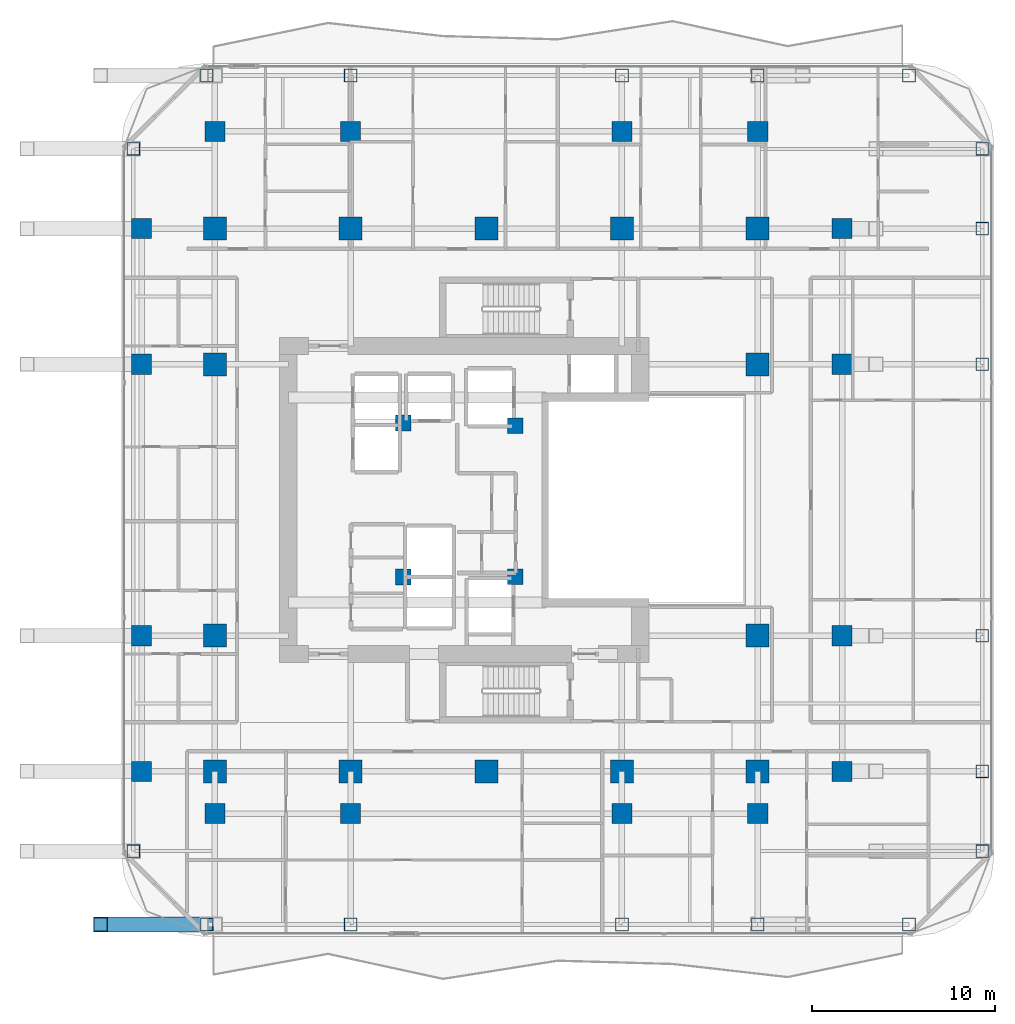
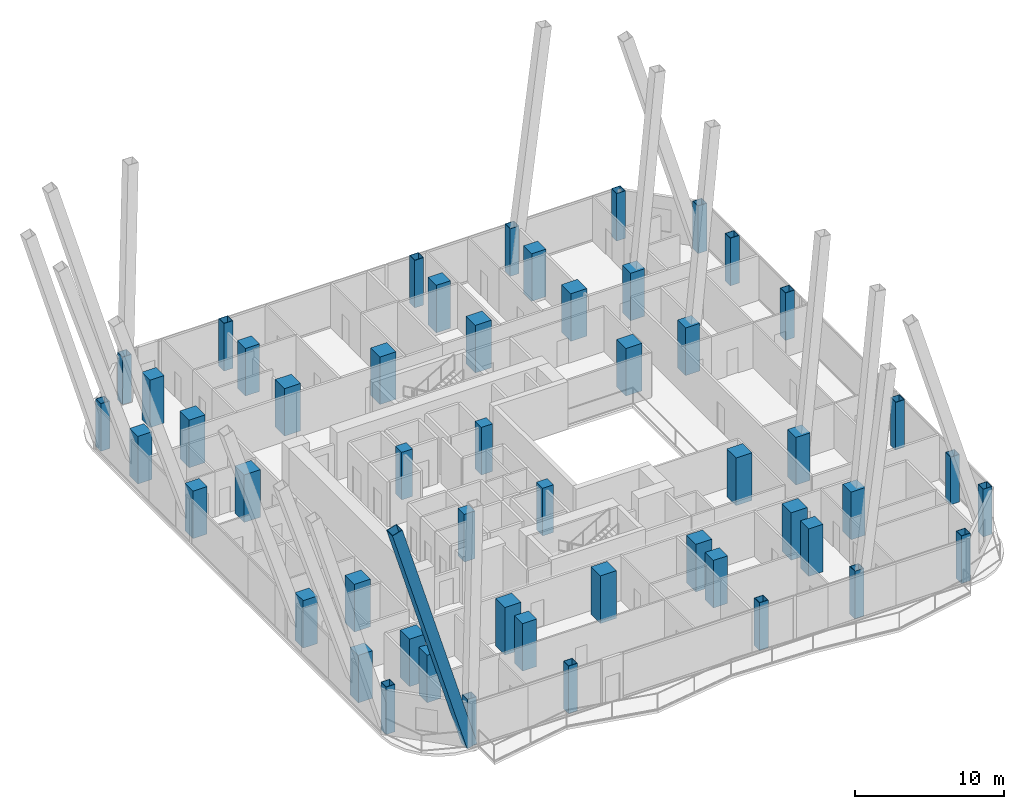
# One storey, part 1 of 32: 52 columns, 1 member.
"""IFC4 building model written with IfcOpenShell, lengths in metres."""

import ifcopenshell
import ifcopenshell.guid

model = None  # the IFC model being written
_history = None  # IfcOwnerHistory: only IFC2X3 demands one
_inside = {}  # id of a spatial element -> (the spatial element, [elements in it])
_under = {}  # id of a project, library or spatial element -> (it, [spatial elements below it])
_declared = {}  # id of a project -> (the project, [libraries it declares])
_typed = {}  # id of a type object -> (the type object, [elements of that type])
_made_of = {}  # id of a material, layer set ... -> (it, [elements and type objects made of it])


def new_model(schema):
    """Start an empty IFC model of exactly this schema.

    Asked for "IFC4X3", IfcOpenShell would pick the latest addendum, in which some entities
    have other attributes; the version numbers below select the first issue.
    IFC2X3 requires an IfcOwnerHistory on every rooted entity: one is made here for all.
    """
    global model, _history
    if schema == "IFC4X3":
        model = ifcopenshell.file(schema_version=(4, 3, 0, 0))
    else:
        model = ifcopenshell.file(schema=schema)
    _inside.clear()
    _under.clear()
    _declared.clear()
    _typed.clear()
    _made_of.clear()
    _history = None
    if model.schema == "IFC2X3":
        org = make("IfcOrganization", Name="unknown")
        user = make(
            "IfcPersonAndOrganization",
            ThePerson=make("IfcPerson", FamilyName="unknown"),
            TheOrganization=org,
        )
        app = make(
            "IfcApplication",
            ApplicationDeveloper=org,
            Version="unknown",
            ApplicationFullName="unknown",
            ApplicationIdentifier="unknown",
        )
        _history = make(
            "IfcOwnerHistory",
            OwningUser=user,
            OwningApplication=app,
            ChangeAction="ADDED",
            CreationDate=0,
        )
    return model


def make(cls, **values):
    """One entity of the class cls with the attributes given. An attribute that is None is left unset."""
    return model.create_entity(
        cls, **{name: value for name, value in values.items() if value is not None}
    )


def rooted(cls, **values):
    """An entity with a GlobalId (a new one), such as an element, a storey or a relation."""
    return make(cls, GlobalId=ifcopenshell.guid.new(), OwnerHistory=_history, **values)


def si_unit(unit_type, name, prefix=None):
    """IfcSIUnit, for example si_unit("LENGTHUNIT", "METRE", prefix="MILLI")."""
    return make("IfcSIUnit", UnitType=unit_type, Prefix=prefix, Name=name)


def assignment(units):
    """IfcUnitAssignment: the units of a project."""
    return None if units is None else make("IfcUnitAssignment", Units=units)


def point(xyz):
    """IfcCartesianPoint."""
    return None if xyz is None else make("IfcCartesianPoint", Coordinates=xyz)


def direction(xyz):
    """IfcDirection."""
    return None if xyz is None else make("IfcDirection", DirectionRatios=xyz)


def frame(location, z_axis=None, x_axis=None):
    """IfcAxis2Placement3D, a coordinate frame: its origin and axes. An axis left out is left unset."""
    return make(
        "IfcAxis2Placement3D",
        Location=point(location),
        Axis=direction(z_axis),
        RefDirection=direction(x_axis),
    )


def frame_2d(location, x_axis=None):
    """IfcAxis2Placement2D, a coordinate frame in the plane: its origin and x axis."""
    return make(
        "IfcAxis2Placement2D", Location=point(location), RefDirection=direction(x_axis)
    )


def origin():
    """The frame at (0, 0, 0) with its axes left unset."""
    return frame((0.0, 0.0, 0.0))


def origin_2d():
    """The frame at (0, 0) in the plane with its x axis left unset."""
    return frame_2d((0.0, 0.0))


def place(relative_to, where):
    """IfcLocalPlacement: puts the frame where relative to a parent placement (None: the world)."""
    return make(
        "IfcLocalPlacement", PlacementRelTo=relative_to, RelativePlacement=where
    )


def context(
    kind, dimensions, precision=None, world=None, true_north=None, identifier=None
):
    """IfcGeometricRepresentationContext, for example the 3D "Model" context."""
    return make(
        "IfcGeometricRepresentationContext",
        ContextIdentifier=identifier,
        ContextType=kind,
        CoordinateSpaceDimension=dimensions,
        Precision=precision,
        WorldCoordinateSystem=world,
        TrueNorth=true_north,
    )


def subcontext(parent, identifier, kind, view, scale=None):
    """IfcGeometricRepresentationSubContext, for example "Body" below "Model"."""
    return make(
        "IfcGeometricRepresentationSubContext",
        ContextIdentifier=identifier,
        ContextType=kind,
        ParentContext=parent,
        TargetScale=scale,
        TargetView=view,
    )


def project(units=None, contexts=None):
    """IfcProject with its units and contexts."""
    return rooted(
        "IfcProject",
        Name="project",
        RepresentationContexts=contexts,
        UnitsInContext=assignment(units),
    )


def spatial(cls, under=None, at=None, **own):
    """A site, building, storey or space (cls), placed at a placement, below another one or the project."""
    s = rooted(cls, ObjectPlacement=at, **own)
    if under is not None:
        _under.setdefault(under.id(), (under, []))[1].append(s)
    return s


def profile(cls, at=None, kind="AREA", **sizes):
    """A parametric profile (cls). Its sizes go by their IFC names, for example OverallWidth=200.0."""
    return make(cls, ProfileType=kind, Position=at, **sizes)


def rectangle(**sizes):
    """IfcRectangleProfileDef."""
    return profile("IfcRectangleProfileDef", **sizes)


def hollow_rectangle(**sizes):
    """IfcRectangleHollowProfileDef."""
    return profile("IfcRectangleHollowProfileDef", **sizes)


def extrude(swept, where, along, depth):
    """IfcExtrudedAreaSolid: the profile swept, set in the frame where, extruded along a direction by depth."""
    return make(
        "IfcExtrudedAreaSolid",
        SweptArea=swept,
        Position=where,
        ExtrudedDirection=direction(along),
        Depth=depth,
    )


def shape(context_of_items, identifier, shape_type, items):
    """IfcShapeRepresentation: the items that make up one representation, for example the "Body"."""
    return make(
        "IfcShapeRepresentation",
        ContextOfItems=context_of_items,
        RepresentationIdentifier=identifier,
        RepresentationType=shape_type,
        Items=items,
    )


def material(Name=None, Category=None):
    """IfcMaterial."""
    return make("IfcMaterial", Name=Name, Category=Category)


def material_profile(
    of_material, cross_section, Name=None, Category=None, Priority=None
):
    """IfcMaterialProfile: a cross section and its material."""
    return make(
        "IfcMaterialProfile",
        Name=Name,
        Material=of_material,
        Profile=cross_section,
        Priority=Priority,
        Category=Category,
    )


def profile_set(profiles, Name=None, composite=None):
    """IfcMaterialProfileSet."""
    return make(
        "IfcMaterialProfileSet",
        Name=Name,
        MaterialProfiles=profiles,
        CompositeProfile=composite,
    )


def made_of(thing, what):
    """Note that an element or type object is made of a material, layer set ...; save() writes the relation."""
    if what is not None:
        _made_of.setdefault(what.id(), (what, []))[1].append(thing)
    return thing


def type_object(cls, material=None, **own):
    """A type object (cls), such as IfcWallType, which elements share."""
    return made_of(rooted(cls, **own), material)


def element(
    cls,
    number,
    at=None,
    inside=None,
    cuts=None,
    type_object=None,
    material=None,
    context=None,
    identifier="Body",
    shape_type=None,
    held_by="IfcProductDefinitionShape",
    body=None,
    shapes=None,
    **own,
):
    """One element of the class cls, such as IfcWall. Its Tag is "e" and its number.

    at: its placement. inside: the storey or other place that contains it. cuts: it is an
    opening in that element (IfcRelVoidsElement). A single representation is given by context,
    identifier, shape_type and body (its items); several are given by shapes. held_by: the class
    of the entity that holds the representations. save() writes the other relations.
    """
    e = rooted(cls, Tag="e%d" % number, ObjectPlacement=at, **own)
    if body is not None:
        shapes = [shape(context, identifier, shape_type, body)]
    if shapes is not None:
        e.Representation = make(held_by, Representations=shapes)
    if inside is not None:
        _inside.setdefault(inside.id(), (inside, []))[1].append(e)
    if cuts is not None:
        rooted(
            "IfcRelVoidsElement", RelatingBuildingElement=cuts, RelatedOpeningElement=e
        )
    if type_object is not None:
        _typed.setdefault(type_object.id(), (type_object, []))[1].append(e)
    return made_of(e, material)


def aggregate(whole, parts):
    """IfcRelAggregates: a whole, such as a stair, and the parts it consists of."""
    return rooted("IfcRelAggregates", RelatingObject=whole, RelatedObjects=parts)


def save(model, path):
    """Write the relations noted so far, then the file.

    IfcRelAggregates (storeys below a building ...), IfcRelContainedInSpatialStructure (elements
    in a storey), IfcRelDefinesByType, IfcRelAssociatesMaterial and IfcRelDeclares: one each for
    every whole, place, type object, material and project.
    """
    for whole, parts in _under.values():
        aggregate(whole, parts)
    for where, things in _inside.values():
        rooted(
            "IfcRelContainedInSpatialStructure",
            RelatedElements=things,
            RelatingStructure=where,
        )
    for kind, things in _typed.values():
        rooted("IfcRelDefinesByType", RelatedObjects=things, RelatingType=kind)
    for what, things in _made_of.values():
        rooted("IfcRelAssociatesMaterial", RelatedObjects=things, RelatingMaterial=what)
    for by, libraries in _declared.values():
        rooted("IfcRelDeclares", RelatingContext=by, RelatedDefinitions=libraries)
    model.write(path)


model = new_model("IFC4")

# Units and contexts
model_context = context("Model", 3, precision=1e-05, world=origin(), true_north=direction((0.0, 1.0)))
body_context = subcontext(model_context, "Body", "Model", "MODEL_VIEW")
ifc_project = project(units=[si_unit("LENGTHUNIT", "METRE"), si_unit("AREAUNIT", "SQUARE_METRE"), si_unit("VOLUMEUNIT", "CUBIC_METRE"), si_unit("PLANEANGLEUNIT", "RADIAN"), si_unit("MASSUNIT", "GRAM", prefix="KILO")], contexts=[model_context])

# Site, building, storey
site_placement = place(None, origin())
site = spatial("IfcSite", under=ifc_project, at=site_placement, CompositionType="ELEMENT")
building_placement = place(site_placement, origin())
building = spatial("IfcBuilding", under=site, at=building_placement, Name="Khorvyn Point Tower", CompositionType="ELEMENT")
storey_placement = place(building_placement, frame((0.0, 0.0, 148.5)))
storey = spatial("IfcBuildingStorey", under=building, at=storey_placement, Name="L37", CompositionType="ELEMENT", Elevation=148.5)

# Columns
ifc_material_1 = material(Name="Concrete C40/50", Category="concrete")
ifc_material_profile_1 = material_profile(ifc_material_1, rectangle(XDim=0.85009765625, YDim=0.85009765625, at=origin_2d()))
ifc_profile_set_1 = profile_set([ifc_material_profile_1], Name="Concrete C40/50 RC850x850")
column_type_1 = type_object("IfcColumnType", Name="Concrete C40/50 Column RC850x850", PredefinedType="COLUMN", material=ifc_profile_set_1)
for number, where, z_axis, x_axis, name in (
    (1, (-4.52001953125, -4.199951171875, 0.0), (0.0, 0.0, 1.0), (1.0, 0.0, 0.0), "L37 Crown Core Spine Column 1"),
    (2, (1.580078125, -4.179931640625, 0.0), (0.0, 0.0, 1.0), (1.0, 0.0, 0.0), "L37 Crown Core Spine Column 2"),
    (3, (1.580078125, 4.050048828125, 0.0), (0.0, 0.0, 1.0), (1.0, 0.0, 0.0), "L37 Crown Core Spine Column 3"),
    (4, (-4.52001953125, 4.199951171875, 0.0), (0.0, 0.0, 1.0), (1.0, 0.0, 0.0), "L37 Crown Core Spine Column 4"),
):
    element("IfcColumn", number, at=place(storey_placement, frame(where, z_axis=z_axis, x_axis=x_axis)), inside=storey, type_object=column_type_1, Name=name, PredefinedType="COLUMN", context=body_context, shape_type="SweptSolid", body=[
        extrude(rectangle(XDim=0.85009765625, YDim=0.85009765625, at=origin_2d()), origin(), (0.0, 0.0, 1.0), 3.89990234375),
    ])
ifc_material_2 = material(Name="Concrete C45/55", Category="concrete")
ifc_material_profile_2 = material_profile(ifc_material_2, rectangle(XDim=1.10009765625, YDim=1.10009765625, at=origin_2d()))
ifc_profile_set_2 = profile_set([ifc_material_profile_2], Name="Concrete C45/55 RC1100x1100")
column_type_2 = type_object("IfcColumnType", Name="Concrete C45/55 Column RC1100x1100", PredefinedType="COLUMN", material=ifc_profile_set_2)
for number, where, z_axis, x_axis, name in (
    (5, (-18.800048828125, -14.800048828125, 0.0), (0.0, 0.0, 1.0), (1.0, 0.0, 0.0), "L37 Intermediate Column ICW--14"),
    (6, (-18.800048828125, -7.39990234375, 0.0), (0.0, 0.0, 1.0), (1.0, 0.0, 0.0), "L37 Intermediate Column ICW--7"),
    (7, (-18.800048828125, 7.39990234375, 0.0), (0.0, 0.0, 1.0), (1.0, 0.0, 0.0), "L37 Intermediate Column ICW-7"),
    (8, (-18.800048828125, 14.800048828125, 0.0), (0.0, 0.0, 1.0), (1.0, 0.0, 0.0), "L37 Intermediate Column ICW-14"),
    (9, (19.39990234375, -14.800048828125, 0.0), (0.0, 0.0, 1.0), (1.0, 0.0, 0.0), "L37 Intermediate Column ICE--14"),
    (10, (19.39990234375, -7.39990234375, 0.0), (0.0, 0.0, 1.0), (1.0, 0.0, 0.0), "L37 Intermediate Column ICE--7"),
    (11, (19.39990234375, 7.39990234375, 0.0), (0.0, 0.0, 1.0), (1.0, 0.0, 0.0), "L37 Intermediate Column ICE-7"),
    (12, (19.39990234375, 14.800048828125, 0.0), (0.0, 0.0, 1.0), (1.0, 0.0, 0.0), "L37 Intermediate Column ICE-14"),
    (13, (-14.800048828125, -17.10009765625, 0.0), (0.0, 0.0, 1.0), (1.0, 0.0, 0.0), "L37 Intermediate Column ICS--14"),
    (14, (-7.39990234375, -17.10009765625, 0.0), (0.0, 0.0, 1.0), (1.0, 0.0, 0.0), "L37 Intermediate Column ICS--7"),
    (15, (7.39990234375, -17.10009765625, 0.0), (0.0, 0.0, 1.0), (1.0, 0.0, 0.0), "L37 Intermediate Column ICS-7"),
    (16, (14.800048828125, -17.10009765625, 0.0), (0.0, 0.0, 1.0), (1.0, 0.0, 0.0), "L37 Intermediate Column ICS-14"),
    (17, (-14.800048828125, 20.10009765625, 0.0), (0.0, 0.0, 1.0), (1.0, 0.0, 0.0), "L37 Intermediate Column ICN--14"),
    (18, (-7.39990234375, 20.10009765625, 0.0), (0.0, 0.0, 1.0), (1.0, 0.0, 0.0), "L37 Intermediate Column ICN--7"),
    (19, (7.39990234375, 20.10009765625, 0.0), (0.0, 0.0, 1.0), (1.0, 0.0, 0.0), "L37 Intermediate Column ICN-7"),
    (20, (14.800048828125, 20.10009765625, 0.0), (0.0, 0.0, 1.0), (1.0, 0.0, 0.0), "L37 Intermediate Column ICN-14"),
):
    element("IfcColumn", number, at=place(storey_placement, frame(where, z_axis=z_axis, x_axis=x_axis)), inside=storey, type_object=column_type_2, Name=name, PredefinedType="COLUMN", context=body_context, shape_type="SweptSolid", body=[
        extrude(rectangle(XDim=1.10009765625, YDim=1.10009765625, at=origin_2d()), origin(), (0.0, 0.0, 1.0), 3.89990234375),
    ])
ifc_material_3 = material(Name="Concrete C50/60", Category="concrete")
ifc_material_profile_3 = material_profile(ifc_material_3, rectangle(XDim=1.25, YDim=1.25, at=origin_2d()))
ifc_profile_set_3 = profile_set([ifc_material_profile_3], Name="Concrete C50/60 RC1250x1250")
column_type_3 = type_object("IfcColumnType", Name="Concrete C50/60 Column RC1250x1250", PredefinedType="COLUMN", material=ifc_profile_set_3)
for number, where, z_axis, x_axis, name in (
    (21, (-14.800048828125, -14.800048828125, 0.0), (0.0, 0.0, 1.0), (1.0, 0.0, 0.0), "L37 Mega-Column MC-01"),
    (22, (-7.39990234375, -14.800048828125, 0.0), (0.0, 0.0, 1.0), (1.0, 0.0, 0.0), "L37 Mega-Column MC-02"),
    (23, (0.0, -14.800048828125, 0.0), (0.0, 0.0, 1.0), (1.0, 0.0, 0.0), "L37 Mega-Column MC-03"),
    (24, (7.39990234375, -14.800048828125, 0.0), (0.0, 0.0, 1.0), (1.0, 0.0, 0.0), "L37 Mega-Column MC-04"),
    (25, (14.800048828125, -14.800048828125, 0.0), (0.0, 0.0, 1.0), (1.0, 0.0, 0.0), "L37 Mega-Column MC-05"),
    (26, (-14.800048828125, 14.800048828125, 0.0), (0.0, 0.0, 1.0), (1.0, 0.0, 0.0), "L37 Mega-Column MC-06"),
    (27, (-7.39990234375, 14.800048828125, 0.0), (0.0, 0.0, 1.0), (1.0, 0.0, 0.0), "L37 Mega-Column MC-07"),
    (28, (0.0, 14.800048828125, 0.0), (0.0, 0.0, 1.0), (1.0, 0.0, 0.0), "L37 Mega-Column MC-08"),
    (29, (7.39990234375, 14.800048828125, 0.0), (0.0, 0.0, 1.0), (1.0, 0.0, 0.0), "L37 Mega-Column MC-09"),
    (30, (14.800048828125, 14.800048828125, 0.0), (0.0, 0.0, 1.0), (1.0, 0.0, 0.0), "L37 Mega-Column MC-10"),
    (31, (-14.800048828125, -7.39990234375, 0.0), (0.0, 0.0, 1.0), (1.0, 0.0, 0.0), "L37 Mega-Column MC-11"),
    (32, (-14.800048828125, 7.39990234375, 0.0), (0.0, 0.0, 1.0), (1.0, 0.0, 0.0), "L37 Mega-Column MC-12"),
    (33, (14.800048828125, -7.39990234375, 0.0), (0.0, 0.0, 1.0), (1.0, 0.0, 0.0), "L37 Mega-Column MC-13"),
    (34, (14.800048828125, 7.39990234375, 0.0), (0.0, 0.0, 1.0), (1.0, 0.0, 0.0), "L37 Mega-Column MC-14"),
):
    element("IfcColumn", number, at=place(storey_placement, frame(where, z_axis=z_axis, x_axis=x_axis)), inside=storey, type_object=column_type_3, Name=name, PredefinedType="COLUMN", context=body_context, shape_type="SweptSolid", body=[
        extrude(rectangle(XDim=1.25, YDim=1.25, at=origin_2d()), origin(), (0.0, 0.0, 1.0), 3.89990234375),
    ])
ifc_material_4 = material(Name="Steel S450", Category="steel")
ifc_material_profile_4 = material_profile(ifc_material_4, hollow_rectangle(XDim=0.699951171875, YDim=0.699951171875, WallThickness=0.031982421875, at=origin_2d()))
ifc_profile_set_4 = profile_set([ifc_material_profile_4], Name="Steel S450 BOX700x700x32")
column_type_4 = type_object("IfcColumnType", Name="Steel S450 Structural Column BOX700x700x32", PredefinedType="COLUMN", material=ifc_profile_set_4)
for number, where, z_axis, x_axis, name in (
    (35, (-15.25, -23.14990234375, 0.0), (0.0, 0.0, 1.0), (1.0, 0.0, 0.0), "L37 Perimeter Tube Column TC-01"),
    (36, (23.050048828125, -23.14990234375, 0.0), (0.0, 0.0, 1.0), (1.0, 0.0, 0.0), "L37 Perimeter Tube Column TC-02"),
    (37, (-15.25, 23.14990234375, 0.0), (0.0, 0.0, 1.0), (1.0, 0.0, 0.0), "L37 Perimeter Tube Column TC-03"),
    (38, (23.050048828125, 23.14990234375, 0.0), (0.0, 0.0, 1.0), (1.0, 0.0, 0.0), "L37 Perimeter Tube Column TC-04"),
    (39, (-19.25, -19.14990234375, 0.0), (0.0, 0.0, 1.0), (1.0, 0.0, 0.0), "L37 Perimeter Tube Column TC-05"),
    (40, (-19.25, 19.14990234375, 0.0), (0.0, 0.0, 1.0), (1.0, 0.0, 0.0), "L37 Perimeter Tube Column TC-06"),
    (41, (27.050048828125, -19.14990234375, 0.0), (0.0, 0.0, 1.0), (1.0, 0.0, 0.0), "L37 Perimeter Tube Column TC-07"),
    (42, (27.050048828125, 19.14990234375, 0.0), (0.0, 0.0, 1.0), (1.0, 0.0, 0.0), "L37 Perimeter Tube Column TC-08"),
    (43, (-7.39990234375, -23.14990234375, 0.0), (0.0, 0.0, 1.0), (1.0, 0.0, 0.0), "L37 Perimeter Tube Column TC-09"),
    (44, (-7.39990234375, 23.14990234375, 0.0), (0.0, 0.0, 1.0), (1.0, 0.0, 0.0), "L37 Perimeter Tube Column TC-10"),
    (45, (7.39990234375, -23.14990234375, 0.0), (0.0, 0.0, 1.0), (1.0, 0.0, 0.0), "L37 Perimeter Tube Column TC-11"),
    (46, (7.39990234375, 23.14990234375, 0.0), (0.0, 0.0, 1.0), (1.0, 0.0, 0.0), "L37 Perimeter Tube Column TC-12"),
    (47, (14.800048828125, -23.14990234375, 0.0), (0.0, 0.0, 1.0), (1.0, 0.0, 0.0), "L37 Perimeter Tube Column TC-13"),
    (48, (14.800048828125, 23.14990234375, 0.0), (0.0, 0.0, 1.0), (1.0, 0.0, 0.0), "L37 Perimeter Tube Column TC-14"),
    (49, (27.050048828125, -14.800048828125, 0.0), (0.0, 0.0, 1.0), (1.0, 0.0, 0.0), "L37 Perimeter Tube Column TC-15"),
    (50, (27.050048828125, -7.39990234375, 0.0), (0.0, 0.0, 1.0), (1.0, 0.0, 0.0), "L37 Perimeter Tube Column TC-16"),
    (51, (27.050048828125, 7.39990234375, 0.0), (0.0, 0.0, 1.0), (1.0, 0.0, 0.0), "L37 Perimeter Tube Column TC-17"),
    (52, (27.050048828125, 14.800048828125, 0.0), (0.0, 0.0, 1.0), (1.0, 0.0, 0.0), "L37 Perimeter Tube Column TC-18"),
):
    element("IfcColumn", number, at=place(storey_placement, frame(where, z_axis=z_axis, x_axis=x_axis)), inside=storey, type_object=column_type_4, Name=name, PredefinedType="COLUMN", context=body_context, shape_type="SweptSolid", body=[
        extrude(hollow_rectangle(XDim=0.699951171875, YDim=0.699951171875, WallThickness=0.031982421875, at=origin_2d()), origin(), (0.0, 0.0, 1.0), 3.89990234375),
    ])

# Member
ifc_material_profile_5 = material_profile(ifc_material_4, hollow_rectangle(XDim=0.800048828125, YDim=0.800048828125, WallThickness=0.035888671875, at=origin_2d()))
ifc_profile_set_5 = profile_set([ifc_material_profile_5], Name="Steel S450 BOX800x800x36")
member_type = type_object("IfcMemberType", Name="Steel S450 Exoskeleton Structural Post BOX800x800x36", PredefinedType="POST", material=ifc_profile_set_5)
member_placement = place(storey_placement, frame((-15.25, -23.14990234375, 0.0), z_axis=(-0.285094530681, 0.0, 0.958499404578), x_axis=(0.0, -1.0, 0.0)))
element("IfcMember", 53, at=member_placement, inside=storey, type_object=member_type, Name="L37 to L41 Exoskeleton Transfer Post 01", PredefinedType="POST", context=body_context, shape_type="SweptSolid", body=[
    extrude(hollow_rectangle(XDim=0.800048828125, YDim=0.800048828125, WallThickness=0.035888671875, at=origin_2d()), origin(), (0.0, 0.0, 1.0), 20.34423828125),
])

save(model, "model.ifc")
